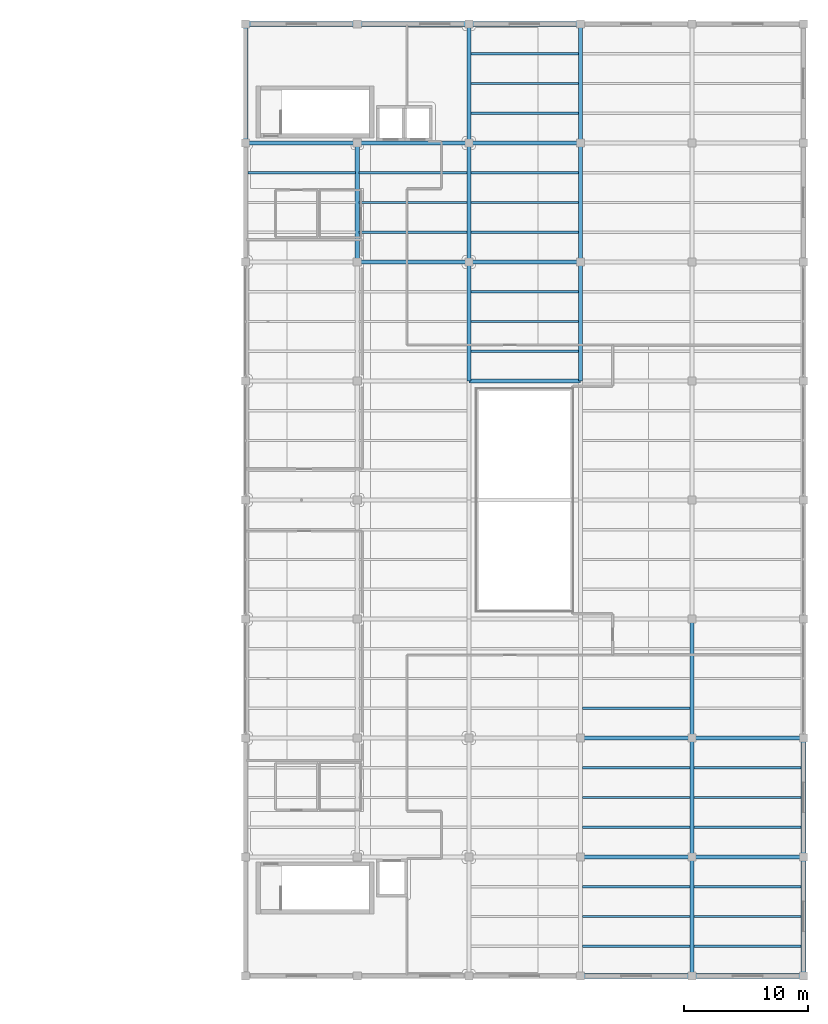
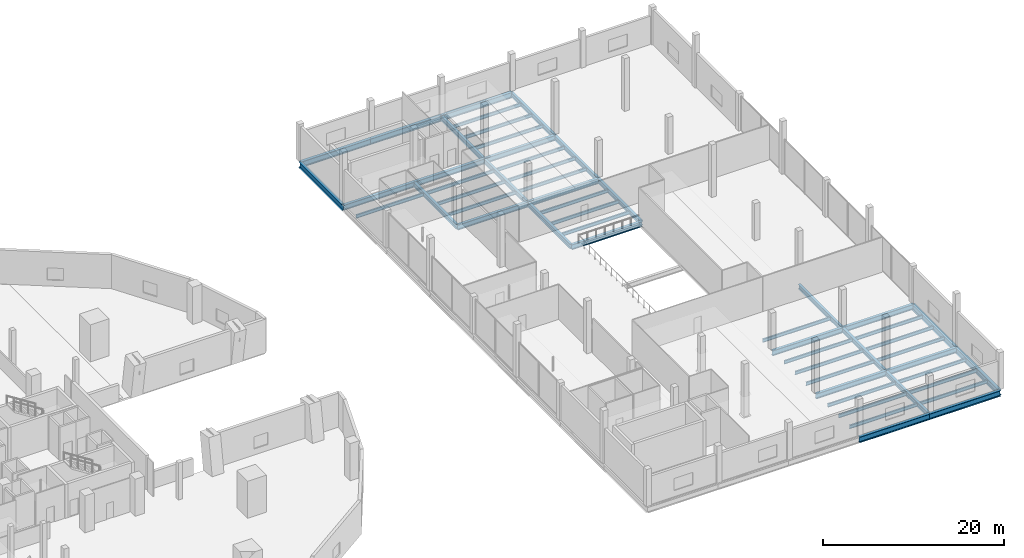
# One storey, part 14 of 43: 54 beams.
"""IFC4 building model written with IfcOpenShell, lengths in metres."""

from ifc_helpers import new_model, si_unit, direction, frame, origin, origin_2d, place, context, subcontext, project, spatial, i_section, extrude, material, material_profile, profile_set, type_object, element, save


model = new_model("IFC4")

# Units and contexts
model_context = context("Model", 3, precision=1e-05, world=origin(), true_north=direction((0.0, 1.0)))
body_context = subcontext(model_context, "Body", "Model", "MODEL_VIEW")
ifc_project = project(units=[si_unit("LENGTHUNIT", "METRE"), si_unit("AREAUNIT", "SQUARE_METRE"), si_unit("VOLUMEUNIT", "CUBIC_METRE"), si_unit("PLANEANGLEUNIT", "RADIAN"), si_unit("MASSUNIT", "GRAM", prefix="KILO")], contexts=[model_context])

# Site, building, storey
site_placement = place(None, origin())
site = spatial("IfcSite", under=ifc_project, at=site_placement, CompositionType="ELEMENT")
building_placement = place(site_placement, origin())
building = spatial("IfcBuilding", under=site, at=building_placement, Name="Qorvath Tower", CompositionType="ELEMENT")
storey_placement = place(building_placement, frame((0.0, 0.0, 22.0)))
storey = spatial("IfcBuildingStorey", under=building, at=storey_placement, Name="L04", CompositionType="ELEMENT", Elevation=22.0)

# Beams
ifc_material_1 = material(Name="Steel ASTM A992 Grade 50", Category="steel")
ifc_material_profile_1 = material_profile(ifc_material_1, i_section(OverallWidth=0.381103515625, OverallDepth=0.77294921875, WebThickness=0.0166015625, FlangeThickness=0.027099609375, FilletRadius=0.01904296875, at=origin_2d()), Name="W30x173")
ifc_profile_set_1 = profile_set([ifc_material_profile_1], Name="Steel ASTM A992 Grade 50")
beam_type_1 = type_object("IfcBeamType", Name="BM-FG3", PredefinedType="BEAM", material=ifc_profile_set_1)
for number, where, z_axis, x_axis, name in (
    (1, (59.39990234375, -38.39990234375, -0.646484375), (1.0, 0.0, 0.0), (0.0, 1.0, 0.0), "Library E-W Girder L04-1-4"),
    (2, (68.39990234375, -38.39990234375, -0.646484375), (1.0, 0.0, 0.0), (0.0, 1.0, 0.0), "Library E-W Girder L04-1-5"),
    (3, (32.39990234375, 38.39990234375, -0.646484375), (1.0, 0.0, 0.0), (0.0, 1.0, 0.0), "Library E-W Girder L04-9-1"),
    (4, (41.39990234375, 38.39990234375, -0.646484375), (1.0, 0.0, 0.0), (0.0, 1.0, 0.0), "Library E-W Girder L04-9-2"),
    (5, (50.39990234375, 38.39990234375, -0.646484375), (1.0, 0.0, 0.0), (0.0, 1.0, 0.0), "Library E-W Girder L04-9-3"),
):
    element("IfcBeam", number, at=place(storey_placement, frame(where, z_axis=z_axis, x_axis=x_axis)), inside=storey, type_object=beam_type_1, Name=name, PredefinedType="BEAM", context=body_context, shape_type="SweptSolid", body=[
        extrude(i_section(OverallWidth=0.381103515625, OverallDepth=0.77294921875, WebThickness=0.0166015625, FlangeThickness=0.027099609375, FilletRadius=0.01904296875, at=origin_2d()), origin(), (0.0, 0.0, 1.0), 9.0),
    ])
for number, where, z_axis, x_axis, name in (
    (6, (32.39990234375, 28.800048828125, -0.646484375), (0.0, 1.0, 0.0), (-1.0, 0.0, 0.0), "Library N-S Girder L04-1-8"),
    (7, (77.39990234375, -38.39990234375, -0.646484375), (0.0, 1.0, 0.0), (-1.0, 0.0, 0.0), "Library N-S Girder L04-6-1"),
):
    element("IfcBeam", number, at=place(storey_placement, frame(where, z_axis=z_axis, x_axis=x_axis)), inside=storey, type_object=beam_type_1, Name=name, PredefinedType="BEAM", context=body_context, shape_type="SweptSolid", body=[
        extrude(i_section(OverallWidth=0.381103515625, OverallDepth=0.77294921875, WebThickness=0.0166015625, FlangeThickness=0.027099609375, FilletRadius=0.01904296875, at=origin_2d()), origin(), (0.0, 0.0, 1.0), 9.599853515625),
    ])
beam_1_placement = place(storey_placement, frame((77.39990234375, -28.800048828125, -0.646484375), z_axis=(0.0, 1.0, 0.0), x_axis=(-1.0, 0.0, 0.0)))
element("IfcBeam", 8, at=beam_1_placement, inside=storey, type_object=beam_type_1, Name="Library N-S Girder L04-6-2", PredefinedType="BEAM", context=body_context, shape_type="SweptSolid", body=[
    extrude(i_section(OverallWidth=0.381103515625, OverallDepth=0.77294921875, WebThickness=0.0166015625, FlangeThickness=0.027099609375, FilletRadius=0.01904296875, at=origin_2d()), origin(), (0.0, 0.0, 1.0), 9.60009765625),
])
ifc_material_2 = material(Name="Steel ASTM A992 Grade 50", Category="steel")
ifc_material_profile_2 = material_profile(ifc_material_2, i_section(OverallWidth=0.35595703125, OverallDepth=0.696044921875, WebThickness=0.015380859375, FlangeThickness=0.02490234375, FilletRadius=0.01806640625, at=origin_2d()), Name="W27x146")
ifc_profile_set_2 = profile_set([ifc_material_profile_2], Name="Steel ASTM A992 Grade 50")
beam_type_2 = type_object("IfcBeamType", Name="BM-FG4", PredefinedType="BEAM", material=ifc_profile_set_2)
for number, where, z_axis, x_axis, name in (
    (9, (59.39990234375, -28.800048828125, -0.60791015625), (1.0, 0.0, 0.0), (0.0, 1.0, 0.0), "Library E-W Girder L04-2-4"),
    (10, (68.39990234375, -28.800048828125, -0.60791015625), (1.0, 0.0, 0.0), (0.0, 1.0, 0.0), "Library E-W Girder L04-2-5"),
    (11, (59.39990234375, -19.199951171875, -0.60791015625), (1.0, 0.0, 0.0), (0.0, 1.0, 0.0), "Library E-W Girder L04-3-4"),
    (12, (68.39990234375, -19.199951171875, -0.60791015625), (1.0, 0.0, 0.0), (0.0, 1.0, 0.0), "Library E-W Girder L04-3-5"),
    (13, (50.39990234375, 9.60009765625, -0.60791015625), (1.0, 0.0, 0.0), (0.0, 1.0, 0.0), "Library E-W Girder L04-6-3"),
    (14, (41.39990234375, 19.199951171875, -0.60791015625), (1.0, 0.0, 0.0), (0.0, 1.0, 0.0), "Library E-W Girder L04-7-2"),
    (15, (50.39990234375, 19.199951171875, -0.60791015625), (1.0, 0.0, 0.0), (0.0, 1.0, 0.0), "Library E-W Girder L04-7-3"),
    (16, (32.39990234375, 28.800048828125, -0.60791015625), (1.0, 0.0, 0.0), (0.0, 1.0, 0.0), "Library E-W Girder L04-8-1"),
    (17, (41.39990234375, 28.800048828125, -0.60791015625), (1.0, 0.0, 0.0), (0.0, 1.0, 0.0), "Library E-W Girder L04-8-2"),
    (18, (50.39990234375, 28.800048828125, -0.60791015625), (1.0, 0.0, 0.0), (0.0, 1.0, 0.0), "Library E-W Girder L04-8-3"),
):
    element("IfcBeam", number, at=place(storey_placement, frame(where, z_axis=z_axis, x_axis=x_axis)), inside=storey, type_object=beam_type_2, Name=name, PredefinedType="BEAM", context=body_context, shape_type="SweptSolid", body=[
        extrude(i_section(OverallWidth=0.35595703125, OverallDepth=0.696044921875, WebThickness=0.015380859375, FlangeThickness=0.02490234375, FilletRadius=0.01806640625, at=origin_2d()), origin(), (0.0, 0.0, 1.0), 9.0),
    ])
ifc_material_3 = material(Name="Steel ASTM A992 Grade 50", Category="steel")
ifc_material_profile_3 = material_profile(ifc_material_3, i_section(OverallWidth=0.324951171875, OverallDepth=0.615966796875, WebThickness=0.013916015625, FlangeThickness=0.021484375, FilletRadius=0.01611328125, at=origin_2d()), Name="W24x117")
ifc_profile_set_3 = profile_set([ifc_material_profile_3], Name="Steel ASTM A992 Grade 50")
beam_type_3 = type_object("IfcBeamType", Name="BM-FG5", PredefinedType="BEAM", material=ifc_profile_set_3)
beam_2_placement = place(storey_placement, frame((41.39990234375, 19.199951171875, -0.568115234375), z_axis=(0.0, 1.0, 0.0), x_axis=(-1.0, 0.0, 0.0)))
element("IfcBeam", 19, at=beam_2_placement, inside=storey, type_object=beam_type_3, Name="Library N-S Girder L04-2-7", PredefinedType="BEAM", context=body_context, shape_type="SweptSolid", body=[
    extrude(i_section(OverallWidth=0.324951171875, OverallDepth=0.615966796875, WebThickness=0.013916015625, FlangeThickness=0.021484375, FilletRadius=0.01611328125, at=origin_2d()), origin(), (0.0, 0.0, 1.0), 9.60009765625),
])
beam_3_placement = place(storey_placement, frame((50.39990234375, 9.60009765625, -0.568115234375), z_axis=(0.0, 1.0, 0.0), x_axis=(-1.0, 0.0, 0.0)))
element("IfcBeam", 20, at=beam_3_placement, inside=storey, type_object=beam_type_3, Name="Library N-S Girder L04-3-6", PredefinedType="BEAM", context=body_context, shape_type="SweptSolid", body=[
    extrude(i_section(OverallWidth=0.324951171875, OverallDepth=0.615966796875, WebThickness=0.013916015625, FlangeThickness=0.021484375, FilletRadius=0.01611328125, at=origin_2d()), origin(), (0.0, 0.0, 1.0), 9.599853515625),
])
beam_4_placement = place(storey_placement, frame((50.39990234375, 19.199951171875, -0.568115234375), z_axis=(0.0, 1.0, 0.0), x_axis=(-1.0, 0.0, 0.0)))
element("IfcBeam", 21, at=beam_4_placement, inside=storey, type_object=beam_type_3, Name="Library N-S Girder L04-3-7", PredefinedType="BEAM", context=body_context, shape_type="SweptSolid", body=[
    extrude(i_section(OverallWidth=0.324951171875, OverallDepth=0.615966796875, WebThickness=0.013916015625, FlangeThickness=0.021484375, FilletRadius=0.01611328125, at=origin_2d()), origin(), (0.0, 0.0, 1.0), 9.60009765625),
])
for number, where, z_axis, x_axis, name in (
    (22, (50.39990234375, 28.800048828125, -0.568115234375), (0.0, 1.0, 0.0), (-1.0, 0.0, 0.0), "Library N-S Girder L04-3-8"),
    (23, (59.39990234375, 9.60009765625, -0.568115234375), (0.0, 1.0, 0.0), (-1.0, 0.0, 0.0), "Library N-S Girder L04-4-6"),
):
    element("IfcBeam", number, at=place(storey_placement, frame(where, z_axis=z_axis, x_axis=x_axis)), inside=storey, type_object=beam_type_3, Name=name, PredefinedType="BEAM", context=body_context, shape_type="SweptSolid", body=[
        extrude(i_section(OverallWidth=0.324951171875, OverallDepth=0.615966796875, WebThickness=0.013916015625, FlangeThickness=0.021484375, FilletRadius=0.01611328125, at=origin_2d()), origin(), (0.0, 0.0, 1.0), 9.599853515625),
    ])
beam_5_placement = place(storey_placement, frame((59.39990234375, 19.199951171875, -0.568115234375), z_axis=(0.0, 1.0, 0.0), x_axis=(-1.0, 0.0, 0.0)))
element("IfcBeam", 24, at=beam_5_placement, inside=storey, type_object=beam_type_3, Name="Library N-S Girder L04-4-7", PredefinedType="BEAM", context=body_context, shape_type="SweptSolid", body=[
    extrude(i_section(OverallWidth=0.324951171875, OverallDepth=0.615966796875, WebThickness=0.013916015625, FlangeThickness=0.021484375, FilletRadius=0.01611328125, at=origin_2d()), origin(), (0.0, 0.0, 1.0), 9.60009765625),
])
for number, where, z_axis, x_axis, name in (
    (25, (59.39990234375, 28.800048828125, -0.568115234375), (0.0, 1.0, 0.0), (-1.0, 0.0, 0.0), "Library N-S Girder L04-4-8"),
    (26, (68.39990234375, -38.39990234375, -0.568115234375), (0.0, 1.0, 0.0), (-1.0, 0.0, 0.0), "Library N-S Girder L04-5-1"),
):
    element("IfcBeam", number, at=place(storey_placement, frame(where, z_axis=z_axis, x_axis=x_axis)), inside=storey, type_object=beam_type_3, Name=name, PredefinedType="BEAM", context=body_context, shape_type="SweptSolid", body=[
        extrude(i_section(OverallWidth=0.324951171875, OverallDepth=0.615966796875, WebThickness=0.013916015625, FlangeThickness=0.021484375, FilletRadius=0.01611328125, at=origin_2d()), origin(), (0.0, 0.0, 1.0), 9.599853515625),
    ])
beam_6_placement = place(storey_placement, frame((68.39990234375, -28.800048828125, -0.568115234375), z_axis=(0.0, 1.0, 0.0), x_axis=(-1.0, 0.0, 0.0)))
element("IfcBeam", 27, at=beam_6_placement, inside=storey, type_object=beam_type_3, Name="Library N-S Girder L04-5-2", PredefinedType="BEAM", context=body_context, shape_type="SweptSolid", body=[
    extrude(i_section(OverallWidth=0.324951171875, OverallDepth=0.615966796875, WebThickness=0.013916015625, FlangeThickness=0.021484375, FilletRadius=0.01611328125, at=origin_2d()), origin(), (0.0, 0.0, 1.0), 9.60009765625),
])
beam_7_placement = place(storey_placement, frame((68.39990234375, -19.199951171875, -0.568115234375), z_axis=(0.0, 1.0, 0.0), x_axis=(-1.0, 0.0, 0.0)))
element("IfcBeam", 28, at=beam_7_placement, inside=storey, type_object=beam_type_3, Name="Library N-S Girder L04-5-3", PredefinedType="BEAM", context=body_context, shape_type="SweptSolid", body=[
    extrude(i_section(OverallWidth=0.324951171875, OverallDepth=0.615966796875, WebThickness=0.013916015625, FlangeThickness=0.021484375, FilletRadius=0.01611328125, at=origin_2d()), origin(), (0.0, 0.0, 1.0), 9.599853515625),
])
ifc_material_4 = material(Name="Steel ASTM A992 Grade 50", Category="steel")
ifc_material_profile_4 = material_profile(ifc_material_4, i_section(OverallWidth=0.18994140625, OverallDepth=0.45703125, WebThickness=0.009033203125, FlangeThickness=0.014404296875, FilletRadius=0.011962890625, at=origin_2d()), Name="W18x50")
ifc_profile_set_4 = profile_set([ifc_material_profile_4], Name="Steel ASTM A992 Grade 50")
beam_type_4 = type_object("IfcBeamType", Name="BM-FJ2", PredefinedType="JOIST", material=ifc_profile_set_4)
beam_8_placement = place(storey_placement, frame((59.560546875, -36.0, -0.488525390625), z_axis=(1.0, 0.0, 0.0), x_axis=(0.0, 1.0, 0.0)))
element("IfcBeam", 29, at=beam_8_placement, inside=storey, type_object=beam_type_4, Name="Library Stack Joist L04-1.1-4", PredefinedType="JOIST", context=body_context, shape_type="SweptSolid", body=[
    extrude(i_section(OverallWidth=0.18994140625, OverallDepth=0.45703125, WebThickness=0.009033203125, FlangeThickness=0.014404296875, FilletRadius=0.011962890625, at=origin_2d()), origin(), (0.0, 0.0, 1.0), 8.678955078125),
])
beam_9_placement = place(storey_placement, frame((68.560546875, -36.0, -0.488525390625), z_axis=(1.0, 0.0, 0.0), x_axis=(0.0, 1.0, 0.0)))
element("IfcBeam", 30, at=beam_9_placement, inside=storey, type_object=beam_type_4, Name="Library Stack Joist L04-1.1-5", PredefinedType="JOIST", context=body_context, shape_type="SweptSolid", body=[
    extrude(i_section(OverallWidth=0.18994140625, OverallDepth=0.45703125, WebThickness=0.009033203125, FlangeThickness=0.014404296875, FilletRadius=0.011962890625, at=origin_2d()), origin(), (0.0, 0.0, 1.0), 8.65087890625),
])
beam_10_placement = place(storey_placement, frame((59.560546875, -33.60009765625, -0.488525390625), z_axis=(1.0, 0.0, 0.0), x_axis=(0.0, 1.0, 0.0)))
element("IfcBeam", 31, at=beam_10_placement, inside=storey, type_object=beam_type_4, Name="Library Stack Joist L04-1.2-4", PredefinedType="JOIST", context=body_context, shape_type="SweptSolid", body=[
    extrude(i_section(OverallWidth=0.18994140625, OverallDepth=0.45703125, WebThickness=0.009033203125, FlangeThickness=0.014404296875, FilletRadius=0.011962890625, at=origin_2d()), origin(), (0.0, 0.0, 1.0), 8.678955078125),
])
beam_11_placement = place(storey_placement, frame((68.560546875, -33.60009765625, -0.488525390625), z_axis=(1.0, 0.0, 0.0), x_axis=(0.0, 1.0, 0.0)))
element("IfcBeam", 32, at=beam_11_placement, inside=storey, type_object=beam_type_4, Name="Library Stack Joist L04-1.2-5", PredefinedType="JOIST", context=body_context, shape_type="SweptSolid", body=[
    extrude(i_section(OverallWidth=0.18994140625, OverallDepth=0.45703125, WebThickness=0.009033203125, FlangeThickness=0.014404296875, FilletRadius=0.011962890625, at=origin_2d()), origin(), (0.0, 0.0, 1.0), 8.65087890625),
])
beam_12_placement = place(storey_placement, frame((59.560546875, -31.199951171875, -0.488525390625), z_axis=(1.0, 0.0, 0.0), x_axis=(0.0, 1.0, 0.0)))
element("IfcBeam", 33, at=beam_12_placement, inside=storey, type_object=beam_type_4, Name="Library Stack Joist L04-1.3-4", PredefinedType="JOIST", context=body_context, shape_type="SweptSolid", body=[
    extrude(i_section(OverallWidth=0.18994140625, OverallDepth=0.45703125, WebThickness=0.009033203125, FlangeThickness=0.014404296875, FilletRadius=0.011962890625, at=origin_2d()), origin(), (0.0, 0.0, 1.0), 8.678955078125),
])
beam_13_placement = place(storey_placement, frame((68.560546875, -31.199951171875, -0.488525390625), z_axis=(1.0, 0.0, 0.0), x_axis=(0.0, 1.0, 0.0)))
element("IfcBeam", 34, at=beam_13_placement, inside=storey, type_object=beam_type_4, Name="Library Stack Joist L04-1.3-5", PredefinedType="JOIST", context=body_context, shape_type="SweptSolid", body=[
    extrude(i_section(OverallWidth=0.18994140625, OverallDepth=0.45703125, WebThickness=0.009033203125, FlangeThickness=0.014404296875, FilletRadius=0.011962890625, at=origin_2d()), origin(), (0.0, 0.0, 1.0), 8.65087890625),
])
beam_14_placement = place(storey_placement, frame((59.560546875, -26.39990234375, -0.488525390625), z_axis=(1.0, 0.0, 0.0), x_axis=(0.0, 1.0, 0.0)))
element("IfcBeam", 35, at=beam_14_placement, inside=storey, type_object=beam_type_4, Name="Library Stack Joist L04-2.1-4", PredefinedType="JOIST", context=body_context, shape_type="SweptSolid", body=[
    extrude(i_section(OverallWidth=0.18994140625, OverallDepth=0.45703125, WebThickness=0.009033203125, FlangeThickness=0.014404296875, FilletRadius=0.011962890625, at=origin_2d()), origin(), (0.0, 0.0, 1.0), 8.678955078125),
])
beam_15_placement = place(storey_placement, frame((68.560546875, -26.39990234375, -0.488525390625), z_axis=(1.0, 0.0, 0.0), x_axis=(0.0, 1.0, 0.0)))
element("IfcBeam", 36, at=beam_15_placement, inside=storey, type_object=beam_type_4, Name="Library Stack Joist L04-2.1-5", PredefinedType="JOIST", context=body_context, shape_type="SweptSolid", body=[
    extrude(i_section(OverallWidth=0.18994140625, OverallDepth=0.45703125, WebThickness=0.009033203125, FlangeThickness=0.014404296875, FilletRadius=0.011962890625, at=origin_2d()), origin(), (0.0, 0.0, 1.0), 8.65087890625),
])
beam_16_placement = place(storey_placement, frame((59.560546875, -24.0, -0.488525390625), z_axis=(1.0, 0.0, 0.0), x_axis=(0.0, 1.0, 0.0)))
element("IfcBeam", 37, at=beam_16_placement, inside=storey, type_object=beam_type_4, Name="Library Stack Joist L04-2.2-4", PredefinedType="JOIST", context=body_context, shape_type="SweptSolid", body=[
    extrude(i_section(OverallWidth=0.18994140625, OverallDepth=0.45703125, WebThickness=0.009033203125, FlangeThickness=0.014404296875, FilletRadius=0.011962890625, at=origin_2d()), origin(), (0.0, 0.0, 1.0), 8.678955078125),
])
beam_17_placement = place(storey_placement, frame((68.560546875, -24.0, -0.488525390625), z_axis=(1.0, 0.0, 0.0), x_axis=(0.0, 1.0, 0.0)))
element("IfcBeam", 38, at=beam_17_placement, inside=storey, type_object=beam_type_4, Name="Library Stack Joist L04-2.2-5", PredefinedType="JOIST", context=body_context, shape_type="SweptSolid", body=[
    extrude(i_section(OverallWidth=0.18994140625, OverallDepth=0.45703125, WebThickness=0.009033203125, FlangeThickness=0.014404296875, FilletRadius=0.011962890625, at=origin_2d()), origin(), (0.0, 0.0, 1.0), 8.65087890625),
])
beam_18_placement = place(storey_placement, frame((59.560546875, -21.60009765625, -0.488525390625), z_axis=(1.0, 0.0, 0.0), x_axis=(0.0, 1.0, 0.0)))
element("IfcBeam", 39, at=beam_18_placement, inside=storey, type_object=beam_type_4, Name="Library Stack Joist L04-2.3-4", PredefinedType="JOIST", context=body_context, shape_type="SweptSolid", body=[
    extrude(i_section(OverallWidth=0.18994140625, OverallDepth=0.45703125, WebThickness=0.009033203125, FlangeThickness=0.014404296875, FilletRadius=0.011962890625, at=origin_2d()), origin(), (0.0, 0.0, 1.0), 8.678955078125),
])
beam_19_placement = place(storey_placement, frame((68.560546875, -21.60009765625, -0.488525390625), z_axis=(1.0, 0.0, 0.0), x_axis=(0.0, 1.0, 0.0)))
element("IfcBeam", 40, at=beam_19_placement, inside=storey, type_object=beam_type_4, Name="Library Stack Joist L04-2.3-5", PredefinedType="JOIST", context=body_context, shape_type="SweptSolid", body=[
    extrude(i_section(OverallWidth=0.18994140625, OverallDepth=0.45703125, WebThickness=0.009033203125, FlangeThickness=0.014404296875, FilletRadius=0.011962890625, at=origin_2d()), origin(), (0.0, 0.0, 1.0), 8.65087890625),
])
for number, where, z_axis, x_axis, name in (
    (41, (59.560546875, -16.800048828125, -0.488525390625), (1.0, 0.0, 0.0), (0.0, 1.0, 0.0), "Library Stack Joist L04-3.1-4"),
    (42, (50.560546875, 12.0, -0.488525390625), (1.0, 0.0, 0.0), (0.0, 1.0, 0.0), "Library Stack Joist L04-6.1-3"),
    (43, (50.560546875, 14.39990234375, -0.488525390625), (1.0, 0.0, 0.0), (0.0, 1.0, 0.0), "Library Stack Joist L04-6.2-3"),
    (44, (50.560546875, 16.800048828125, -0.488525390625), (1.0, 0.0, 0.0), (0.0, 1.0, 0.0), "Library Stack Joist L04-6.3-3"),
    (45, (41.560546875, 21.60009765625, -0.488525390625), (1.0, 0.0, 0.0), (0.0, 1.0, 0.0), "Library Stack Joist L04-7.1-2"),
    (46, (50.560546875, 21.60009765625, -0.488525390625), (1.0, 0.0, 0.0), (0.0, 1.0, 0.0), "Library Stack Joist L04-7.1-3"),
    (47, (41.560546875, 24.0, -0.488525390625), (1.0, 0.0, 0.0), (0.0, 1.0, 0.0), "Library Stack Joist L04-7.2-2"),
    (48, (50.560546875, 24.0, -0.488525390625), (1.0, 0.0, 0.0), (0.0, 1.0, 0.0), "Library Stack Joist L04-7.2-3"),
):
    element("IfcBeam", number, at=place(storey_placement, frame(where, z_axis=z_axis, x_axis=x_axis)), inside=storey, type_object=beam_type_4, Name=name, PredefinedType="JOIST", context=body_context, shape_type="SweptSolid", body=[
        extrude(i_section(OverallWidth=0.18994140625, OverallDepth=0.45703125, WebThickness=0.009033203125, FlangeThickness=0.014404296875, FilletRadius=0.011962890625, at=origin_2d()), origin(), (0.0, 0.0, 1.0), 8.678955078125),
    ])
beam_20_placement = place(storey_placement, frame((32.58837890625, 26.39990234375, -0.488525390625), z_axis=(1.0, 0.0, 0.0), x_axis=(0.0, 1.0, 0.0)))
element("IfcBeam", 49, at=beam_20_placement, inside=storey, type_object=beam_type_4, Name="Library Stack Joist L04-7.3-1", PredefinedType="JOIST", context=body_context, shape_type="SweptSolid", body=[
    extrude(i_section(OverallWidth=0.18994140625, OverallDepth=0.45703125, WebThickness=0.009033203125, FlangeThickness=0.014404296875, FilletRadius=0.011962890625, at=origin_2d()), origin(), (0.0, 0.0, 1.0), 8.651123046875),
])
for number, where, z_axis, x_axis, name in (
    (50, (41.560546875, 26.39990234375, -0.488525390625), (1.0, 0.0, 0.0), (0.0, 1.0, 0.0), "Library Stack Joist L04-7.3-2"),
    (51, (50.560546875, 26.39990234375, -0.488525390625), (1.0, 0.0, 0.0), (0.0, 1.0, 0.0), "Library Stack Joist L04-7.3-3"),
    (52, (50.560546875, 31.199951171875, -0.488525390625), (1.0, 0.0, 0.0), (0.0, 1.0, 0.0), "Library Stack Joist L04-8.1-3"),
    (53, (50.560546875, 33.60009765625, -0.488525390625), (1.0, 0.0, 0.0), (0.0, 1.0, 0.0), "Library Stack Joist L04-8.2-3"),
    (54, (50.560546875, 36.0, -0.488525390625), (1.0, 0.0, 0.0), (0.0, 1.0, 0.0), "Library Stack Joist L04-8.3-3"),
):
    element("IfcBeam", number, at=place(storey_placement, frame(where, z_axis=z_axis, x_axis=x_axis)), inside=storey, type_object=beam_type_4, Name=name, PredefinedType="JOIST", context=body_context, shape_type="SweptSolid", body=[
        extrude(i_section(OverallWidth=0.18994140625, OverallDepth=0.45703125, WebThickness=0.009033203125, FlangeThickness=0.014404296875, FilletRadius=0.011962890625, at=origin_2d()), origin(), (0.0, 0.0, 1.0), 8.678955078125),
    ])

save(model, "model.ifc")
